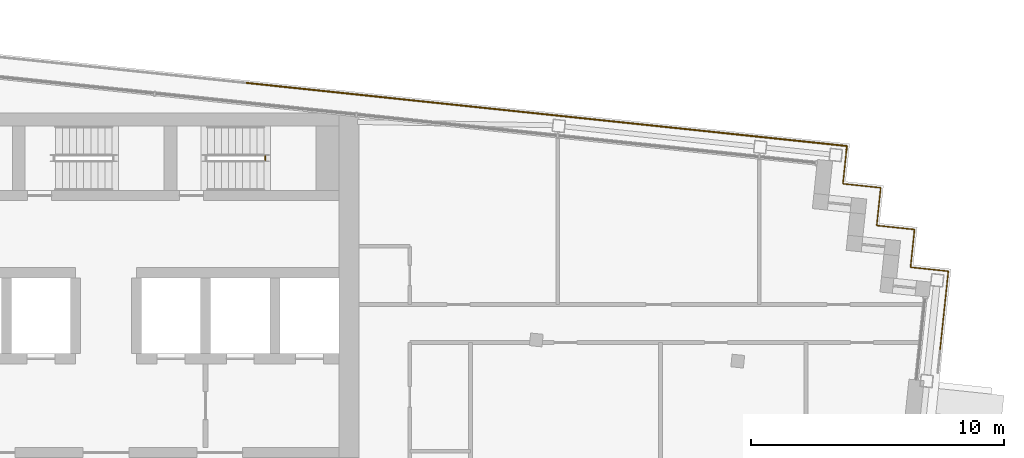
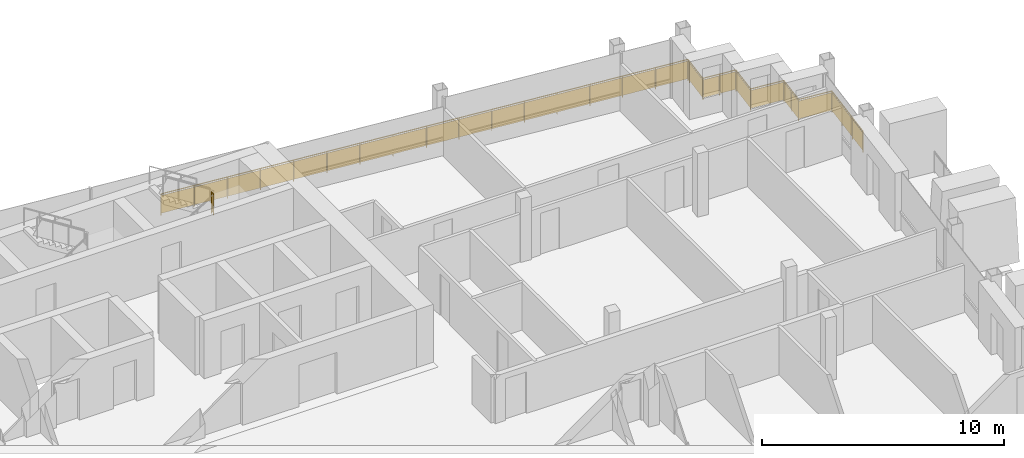
# One storey, part 16 of 16: 4 railings.
"""IFC4 building model written with IfcOpenShell, lengths in metres."""

from ifc_helpers import new_model, si_unit, direction, frame, origin, origin_2d, place, context, subcontext, project, spatial, rectangle, circle, extrude, material, type_object, element, save


model = new_model("IFC4")

# Units and contexts
model_context = context("Model", 3, precision=1e-05, world=origin(), true_north=direction((0.0, 1.0)))
body_context = subcontext(model_context, "Body", "Model", "MODEL_VIEW")
ifc_project = project(units=[si_unit("LENGTHUNIT", "METRE"), si_unit("AREAUNIT", "SQUARE_METRE"), si_unit("VOLUMEUNIT", "CUBIC_METRE"), si_unit("PLANEANGLEUNIT", "RADIAN"), si_unit("MASSUNIT", "GRAM", prefix="KILO")], contexts=[model_context])

# Site, building, storey
site_placement = place(None, origin())
site = spatial("IfcSite", under=ifc_project, at=site_placement, CompositionType="ELEMENT")
building_placement = place(site_placement, origin())
building = spatial("IfcBuilding", under=site, at=building_placement, Name="Vidyagriha Tower", CompositionType="ELEMENT")
storey_placement = place(building_placement, frame((0.0, 0.0, 256.300048828125)))
storey = spatial("IfcBuildingStorey", under=building, at=storey_placement, Name="L66", CompositionType="ELEMENT", Elevation=256.300048828125)

# Railings
ifc_material_1 = material(Name="Steel ASTM A500 Grade C black painted", Category="steel")
railing_type_1 = type_object("IfcRailingType", Name="Gallery guard 1100", PredefinedType="GUARDRAIL", material=ifc_material_1)
railing_1_placement = place(storey_placement, frame((5.55224609375, 21.196533203125, 0.0)))
element("IfcRailing", 1, at=railing_1_placement, inside=storey, type_object=railing_type_1, Name="Gallery guard L66 7", PredefinedType="GUARDRAIL", context=body_context, shape_type="SweptSolid", body=[
    extrude(circle(Radius=0.02490234375, at=origin_2d()), frame((0.0, 0.0, 1.0751953125), z_axis=(0.994521271903, -0.104534394972, 0.0), x_axis=(0.104534394972, 0.994521271903, 0.0)), (0.0, 0.0, 1.0), 11.999755859375),
    extrude(circle(Radius=0.02001953125, at=origin_2d()), origin(), (0.0, 0.0, 1.0), 1.050048828125),
    extrude(circle(Radius=0.02001953125, at=origin_2d()), frame((1.49169921875, -0.15673828125, 0.0)), (0.0, 0.0, 1.0), 1.050048828125),
    extrude(circle(Radius=0.02001953125, at=origin_2d()), frame((2.9833984375, -0.3134765625, 0.0)), (0.0, 0.0, 1.0), 1.050048828125),
    extrude(circle(Radius=0.02001953125, at=origin_2d()), frame((4.475341796875, -0.470458984375, 0.0)), (0.0, 0.0, 1.0), 1.050048828125),
    extrude(circle(Radius=0.02001953125, at=origin_2d()), frame((5.967041015625, -0.627197265625, 0.0)), (0.0, 0.0, 1.0), 1.050048828125),
    extrude(circle(Radius=0.02001953125, at=origin_2d()), frame((7.458740234375, -0.783935546875, 0.0)), (0.0, 0.0, 1.0), 1.050048828125),
    extrude(circle(Radius=0.02001953125, at=origin_2d()), frame((8.95068359375, -0.94091796875, 0.0)), (0.0, 0.0, 1.0), 1.050048828125),
    extrude(circle(Radius=0.02001953125, at=origin_2d()), frame((10.4423828125, -1.09765625, 0.0)), (0.0, 0.0, 1.0), 1.050048828125),
    extrude(circle(Radius=0.02001953125, at=origin_2d()), frame((11.93408203125, -1.25439453125, 0.0)), (0.0, 0.0, 1.0), 1.050048828125),
    extrude(rectangle(XDim=0.010009765625, YDim=0.900146484375, at=origin_2d()), frame((0.0, 0.0, 0.550048828125), z_axis=(0.994521271903, -0.104534394972, 0.0), x_axis=(0.104534394972, 0.994521271903, 0.0)), (0.0, 0.0, 1.0), 11.999755859375),
])
railing_2_placement = place(storey_placement, frame((17.486328125, 19.942138671875, 0.0)))
element("IfcRailing", 2, at=railing_2_placement, inside=storey, type_object=railing_type_1, Name="Gallery guard L66 8", PredefinedType="GUARDRAIL", context=body_context, shape_type="SweptSolid", body=[
    extrude(circle(Radius=0.02490234375, at=origin_2d()), frame((0.0, 0.0, 1.0751953125), z_axis=(0.994522500633, -0.104522704396, 0.0), x_axis=(0.104522704396, 0.994522500633, 0.0)), (0.0, 0.0, 1.0), 11.840087890625),
    extrude(circle(Radius=0.02490234375, at=origin_2d()), frame((11.775146484375, -1.237548828125, 1.0751953125), z_axis=(-0.105240535143, -0.994446795843, 0.0), x_axis=(0.994446795843, -0.105240535143, 0.0)), (0.0, 0.0, 1.0), 0.16015625),
    extrude(circle(Radius=0.02001953125, at=origin_2d()), origin(), (0.0, 0.0, 1.0), 1.050048828125),
    extrude(circle(Radius=0.02001953125, at=origin_2d()), frame((1.471923828125, -0.15478515625, 0.0)), (0.0, 0.0, 1.0), 1.050048828125),
    extrude(circle(Radius=0.02001953125, at=origin_2d()), frame((2.94384765625, -0.309326171875, 0.0)), (0.0, 0.0, 1.0), 1.050048828125),
    extrude(circle(Radius=0.02001953125, at=origin_2d()), frame((4.415771484375, -0.464111328125, 0.0)), (0.0, 0.0, 1.0), 1.050048828125),
    extrude(circle(Radius=0.02001953125, at=origin_2d()), frame((5.8876953125, -0.61865234375, 0.0)), (0.0, 0.0, 1.0), 1.050048828125),
    extrude(circle(Radius=0.02001953125, at=origin_2d()), frame((7.359375, -0.7734375, 0.0)), (0.0, 0.0, 1.0), 1.050048828125),
    extrude(circle(Radius=0.02001953125, at=origin_2d()), frame((8.831298828125, -0.92822265625, 0.0)), (0.0, 0.0, 1.0), 1.050048828125),
    extrude(circle(Radius=0.02001953125, at=origin_2d()), frame((10.30322265625, -1.082763671875, 0.0)), (0.0, 0.0, 1.0), 1.050048828125),
    extrude(circle(Radius=0.02001953125, at=origin_2d()), frame((11.775146484375, -1.237548828125, 0.0)), (0.0, 0.0, 1.0), 1.050048828125),
    extrude(circle(Radius=0.02001953125, at=origin_2d()), frame((11.75830078125, -1.396728515625, 0.0)), (0.0, 0.0, 1.0), 1.050048828125),
    extrude(rectangle(XDim=0.010009765625, YDim=0.900146484375, at=origin_2d()), frame((0.0, 0.0, 0.550048828125), z_axis=(0.994522500633, -0.104522704396, 0.0), x_axis=(0.104522704396, 0.994522500633, 0.0)), (0.0, 0.0, 1.0), 11.840087890625),
    extrude(rectangle(XDim=0.010009765625, YDim=0.900146484375, at=origin_2d()), frame((11.775146484375, -1.237548828125, 0.550048828125), z_axis=(-0.105240535143, -0.994446795843, 0.0), x_axis=(0.994446795843, -0.105240535143, 0.0)), (0.0, 0.0, 1.0), 0.16015625),
])
railing_3_placement = place(storey_placement, frame((29.24462890625, 18.54541015625, 0.0)))
element("IfcRailing", 3, at=railing_3_placement, inside=storey, type_object=railing_type_1, Name="Gallery guard L66 9", PredefinedType="GUARDRAIL", context=body_context, shape_type="SweptSolid", body=[
    extrude(circle(Radius=0.02490234375, at=origin_2d()), frame((0.0, 0.0, 1.0751953125), z_axis=(-0.104589933737, -0.994515432641, 0.0), x_axis=(0.994515432641, -0.104589933737, 0.0)), (0.0, 0.0, 1.0), 1.33984375),
    extrude(circle(Radius=0.02490234375, at=origin_2d()), frame((-0.14013671875, -1.33251953125, 1.0751953125), z_axis=(0.994509910675, -0.104642427191, 0.0), x_axis=(0.104642427191, 0.994509910675, 0.0)), (0.0, 0.0, 1.0), 1.500244140625),
    extrude(circle(Radius=0.02490234375, at=origin_2d()), frame((1.351806640625, -1.489501953125, 1.0751953125), z_axis=(-0.104498377516, -0.994525057048, 0.0), x_axis=(0.994525057048, -0.104498377516, 0.0)), (0.0, 0.0, 1.0), 1.5),
    extrude(circle(Radius=0.02490234375, at=origin_2d()), frame((1.195068359375, -2.981201171875, 1.0751953125), z_axis=(0.994525057048, -0.104498377516, 0.0), x_axis=(0.104498377516, 0.994525057048, 0.0)), (0.0, 0.0, 1.0), 1.5),
    extrude(circle(Radius=0.02490234375, at=origin_2d()), frame((2.686767578125, -3.137939453125, 1.0751953125), z_axis=(-0.104481464157, -0.994526834051, 0.0), x_axis=(0.994526834051, -0.104481464157, 0.0)), (0.0, 0.0, 1.0), 1.500244140625),
    extrude(circle(Radius=0.02490234375, at=origin_2d()), frame((2.530029296875, -4.6298828125, 1.0751953125), z_axis=(0.994525057048, -0.104498377516, 0.0), x_axis=(0.104498377516, 0.994525057048, 0.0)), (0.0, 0.0, 1.0), 1.5),
    extrude(circle(Radius=0.02490234375, at=origin_2d()), frame((4.021728515625, -4.78662109375, 1.0751953125), z_axis=(-0.104527942092, -0.994521950146, 0.0), x_axis=(0.994521950146, -0.104527942092, 0.0)), (0.0, 0.0, 1.0), 3.16015625),
    extrude(circle(Radius=0.02001953125, at=origin_2d()), origin(), (0.0, 0.0, 1.0), 1.050048828125),
    extrude(circle(Radius=0.02001953125, at=origin_2d()), frame((-0.14013671875, -1.33251953125, 0.0)), (0.0, 0.0, 1.0), 1.050048828125),
    extrude(circle(Radius=0.02001953125, at=origin_2d()), frame((0.60595703125, -1.4111328125, 0.0)), (0.0, 0.0, 1.0), 1.050048828125),
    extrude(circle(Radius=0.02001953125, at=origin_2d()), frame((1.351806640625, -1.489501953125, 0.0)), (0.0, 0.0, 1.0), 1.050048828125),
    extrude(circle(Radius=0.02001953125, at=origin_2d()), frame((1.195068359375, -2.981201171875, 0.0)), (0.0, 0.0, 1.0), 1.050048828125),
    extrude(circle(Radius=0.02001953125, at=origin_2d()), frame((2.686767578125, -3.137939453125, 0.0)), (0.0, 0.0, 1.0), 1.050048828125),
    extrude(circle(Radius=0.02001953125, at=origin_2d()), frame((2.6083984375, -3.8837890625, 0.0)), (0.0, 0.0, 1.0), 1.050048828125),
    extrude(circle(Radius=0.02001953125, at=origin_2d()), frame((2.530029296875, -4.6298828125, 0.0)), (0.0, 0.0, 1.0), 1.050048828125),
    extrude(circle(Radius=0.02001953125, at=origin_2d()), frame((4.021728515625, -4.78662109375, 0.0)), (0.0, 0.0, 1.0), 1.050048828125),
    extrude(circle(Radius=0.02001953125, at=origin_2d()), frame((3.91162109375, -5.834228515625, 0.0)), (0.0, 0.0, 1.0), 1.050048828125),
    extrude(circle(Radius=0.02001953125, at=origin_2d()), frame((3.801513671875, -6.8818359375, 0.0)), (0.0, 0.0, 1.0), 1.050048828125),
    extrude(circle(Radius=0.02001953125, at=origin_2d()), frame((3.69140625, -7.929443359375, 0.0)), (0.0, 0.0, 1.0), 1.050048828125),
    extrude(rectangle(XDim=0.010009765625, YDim=0.900146484375, at=origin_2d()), frame((0.0, 0.0, 0.550048828125), z_axis=(-0.104589933737, -0.994515432641, 0.0), x_axis=(0.994515432641, -0.104589933737, 0.0)), (0.0, 0.0, 1.0), 1.33984375),
    extrude(rectangle(XDim=0.010009765625, YDim=0.900146484375, at=origin_2d()), frame((-0.14013671875, -1.33251953125, 0.550048828125), z_axis=(0.994509910675, -0.104642427191, 0.0), x_axis=(0.104642427191, 0.994509910675, 0.0)), (0.0, 0.0, 1.0), 1.500244140625),
    extrude(rectangle(XDim=0.010009765625, YDim=0.900146484375, at=origin_2d()), frame((1.351806640625, -1.489501953125, 0.550048828125), z_axis=(-0.104498377516, -0.994525057048, 0.0), x_axis=(0.994525057048, -0.104498377516, 0.0)), (0.0, 0.0, 1.0), 1.5),
    extrude(rectangle(XDim=0.010009765625, YDim=0.900146484375, at=origin_2d()), frame((1.195068359375, -2.981201171875, 0.550048828125), z_axis=(0.994525057048, -0.104498377516, 0.0), x_axis=(0.104498377516, 0.994525057048, 0.0)), (0.0, 0.0, 1.0), 1.5),
    extrude(rectangle(XDim=0.010009765625, YDim=0.900146484375, at=origin_2d()), frame((2.686767578125, -3.137939453125, 0.550048828125), z_axis=(-0.104481464157, -0.994526834051, 0.0), x_axis=(0.994526834051, -0.104481464157, 0.0)), (0.0, 0.0, 1.0), 1.500244140625),
    extrude(rectangle(XDim=0.010009765625, YDim=0.900146484375, at=origin_2d()), frame((2.530029296875, -4.6298828125, 0.550048828125), z_axis=(0.994525057048, -0.104498377516, 0.0), x_axis=(0.104498377516, 0.994525057048, 0.0)), (0.0, 0.0, 1.0), 1.5),
    extrude(rectangle(XDim=0.010009765625, YDim=0.900146484375, at=origin_2d()), frame((4.021728515625, -4.78662109375, 0.550048828125), z_axis=(-0.104527942092, -0.994521950146, 0.0), x_axis=(0.994521950146, -0.104527942092, 0.0)), (0.0, 0.0, 1.0), 3.16015625),
])
ifc_material_2 = material(Name="Steel ASTM A500 Grade C", Category="steel")
railing_type_2 = type_object("IfcRailingType", Name="Stair guard 1100 mm, steel balustrade", PredefinedType="GUARDRAIL", material=ifc_material_2)
railing_4_placement = place(storey_placement, frame((6.2900390625, 18.14990234375, 1.599853515625)))
element("IfcRailing", 4, at=railing_4_placement, inside=storey, type_object=railing_type_2, Name="L66 ST3 stair guard 2", PredefinedType="GUARDRAIL", context=body_context, shape_type="SweptSolid", body=[
    extrude(circle(Radius=0.02392578125, at=origin_2d()), frame((0.0, 0.0, 1.076171875), z_axis=(0.0, 1.0, 0.0), x_axis=(-1.0, 0.0, 0.0)), (0.0, 0.0, 1.0), 0.150146484375),
    extrude(circle(Radius=0.02099609375, at=origin_2d()), origin(), (0.0, 0.0, 1.0), 1.052001953125),
    extrude(circle(Radius=0.02099609375, at=origin_2d()), frame((0.0, 0.150146484375, 0.0)), (0.0, 0.0, 1.0), 1.052001953125),
    extrude(rectangle(XDim=0.010009765625, YDim=0.902099609375, at=origin_2d()), frame((0.0, 0.0, 0.551025390625), z_axis=(0.0, 1.0, 0.0), x_axis=(-1.0, 0.0, 0.0)), (0.0, 0.0, 1.0), 0.150146484375),
])

save(model, "model.ifc")
